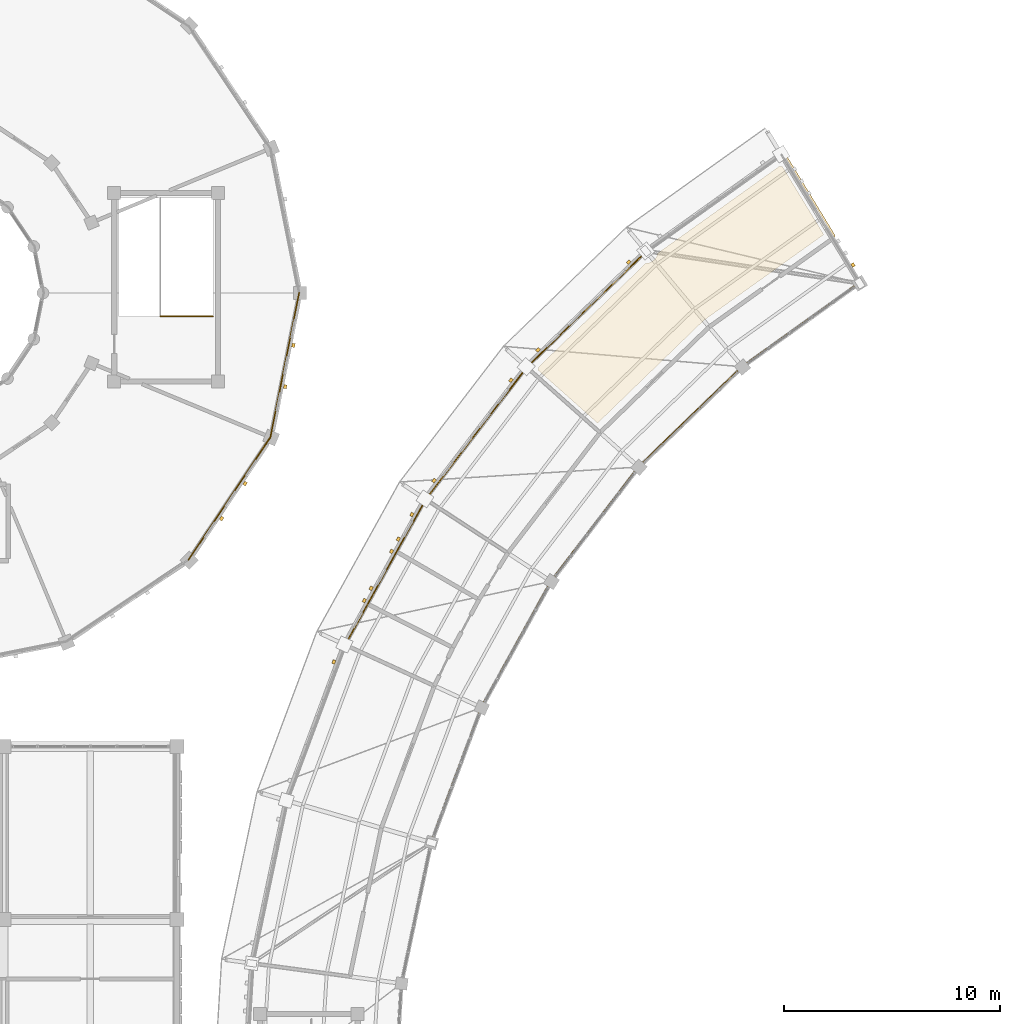
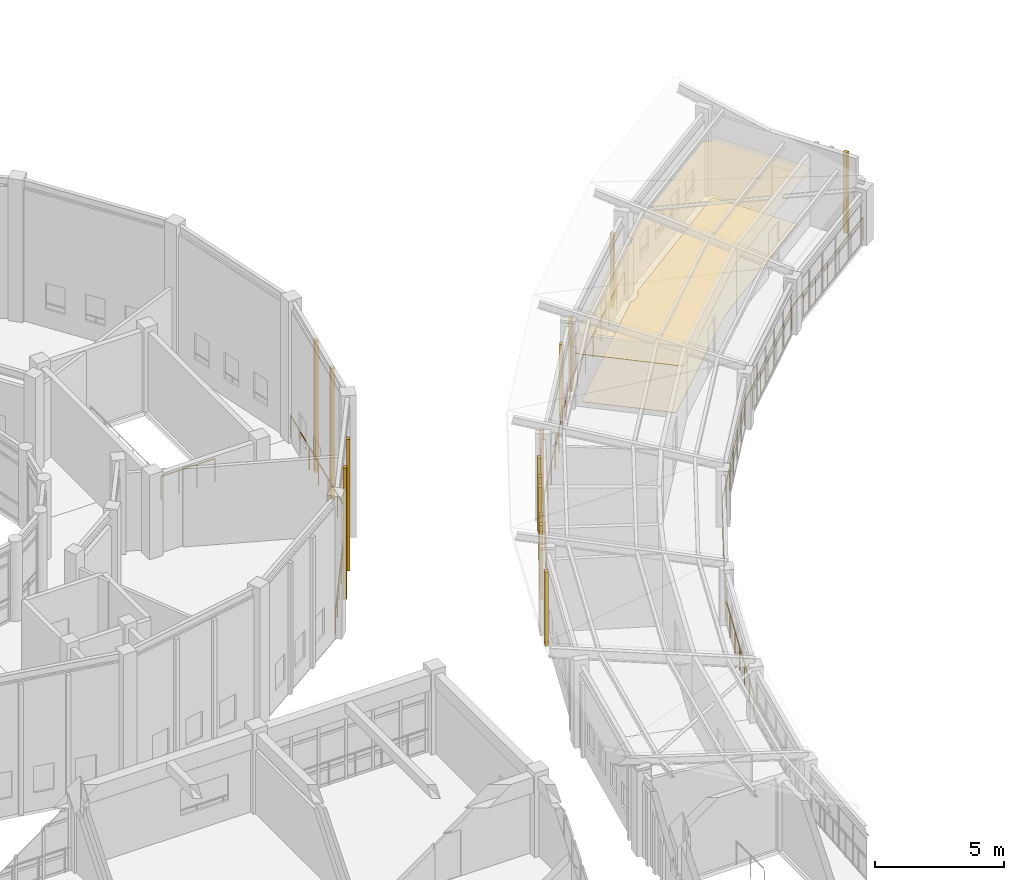
# One storey, part 143 of 149: 17 coverings, 11 railings.
"""IFC4 building model written with IfcOpenShell, lengths in metres."""

from ifc_helpers import new_model, si_unit, direction, frame, origin, origin_2d, place, context, subcontext, project, spatial, polyline, rectangle, circle, outline, extrude, material, layer, layer_set, type_object, element, save


model = new_model("IFC4")

# Units and contexts
model_context = context("Model", 3, precision=1e-05, world=origin(), true_north=direction((0.0, 1.0)))
body_context = subcontext(model_context, "Body", "Model", "MODEL_VIEW")
ifc_project = project(units=[si_unit("LENGTHUNIT", "METRE"), si_unit("AREAUNIT", "SQUARE_METRE"), si_unit("VOLUMEUNIT", "CUBIC_METRE"), si_unit("PLANEANGLEUNIT", "RADIAN"), si_unit("MASSUNIT", "GRAM", prefix="KILO")], contexts=[model_context])

# Site, building, storey
site_placement = place(None, origin())
site = spatial("IfcSite", under=ifc_project, at=site_placement, CompositionType="ELEMENT")
building_placement = place(site_placement, origin())
building = spatial("IfcBuilding", under=site, at=building_placement, Name="Celadon Cloister-Ring School", CompositionType="ELEMENT")
storey_placement = place(building_placement, frame((0.0, 0.0, 12.5)))
storey = spatial("IfcBuildingStorey", under=building, at=storey_placement, Name="L03", CompositionType="ELEMENT", Elevation=12.5)

# Coverings
ifc_material_1 = material(Name="Mineral-fibre acoustic ceiling board")
ifc_layer_1 = layer(ifc_material_1, 0.02001953125)
ifc_layer_set_1 = layer_set([ifc_layer_1], Name="Mineral-fibre acoustic ceiling board")
covering_type_1 = type_object("IfcCoveringType", Name="CV-CL1", PredefinedType="CEILING", material=ifc_layer_set_1)
covering_1_placement = place(storey_placement, frame((0.0, 0.0, 2.550048828125)))
element("IfcCovering", 1, at=covering_1_placement, inside=storey, type_object=covering_type_1, Name="Acoustic Ceiling 0020", PredefinedType="CEILING", context=body_context, shape_type="SweptSolid", body=[
    extrude(outline(polyline([(59.697998046875, 103.2529296875), (59.742919921875, 103.196044921875), (59.818115234375, 103.139892578125), (59.8759765625, 103.115966796875), (59.968994140625, 103.10205078125), (60.06201171875, 103.115966796875), (60.1201171875, 103.139892578125), (60.195068359375, 103.196044921875), (60.257080078125, 103.282958984375), (60.280029296875, 103.258056640625), (62.430908203125, 99.722900390625), (62.451904296875, 99.673095703125), (62.45703125, 99.6201171875), (62.446044921875, 99.56689453125), (62.429931640625, 99.534912109375), (62.382080078125, 99.48291015625), (56.662109375, 95.39208984375), (51.60791015625, 90.501953125), (51.56396484375, 90.469970703125), (51.49609375, 90.450927734375), (51.44189453125, 90.4560546875), (51.39208984375, 90.47607421875), (48.27392578125, 93.2490234375), (48.2529296875, 93.27587890625), (48.319091796875, 93.302001953125), (48.39404296875, 93.35791015625), (48.449951171875, 93.43310546875), (48.48193359375, 93.52197265625), (48.488037109375, 93.583984375), (48.47412109375, 93.677001953125), (48.43408203125, 93.761962890625), (48.383056640625, 93.820068359375), (53.458984375, 98.73388671875), (53.52490234375, 98.675048828125), (53.5810546875, 98.64501953125), (53.64111328125, 98.626953125), (53.702880859375, 98.62109375), (53.764892578125, 98.626953125), (53.824951171875, 98.64501953125), (53.881103515625, 98.675048828125), (53.928955078125, 98.715087890625), (53.985107421875, 98.7900390625), (54.009033203125, 98.847900390625), (54.02099609375, 98.909912109375), (54.02099609375, 98.971923828125), (54.009033203125, 99.033935546875), (53.985107421875, 99.092041015625), (53.950927734375, 99.14404296875), (59.697998046875, 103.2529296875)])), origin(), (0.0, 0.0, 1.0), 0.02001953125),
])
ifc_material_2 = material(Name="Polished cement-marble terrazzo tile", Category="masonry")
ifc_layer_2 = layer(ifc_material_2, 0.01806640625)
ifc_layer_set_2 = layer_set([ifc_layer_2], Name="Polished cement-marble terrazzo tile")
covering_type_2 = type_object("IfcCoveringType", Name="CV-FL1", PredefinedType="FLOORING", material=ifc_layer_set_2)
covering_2_placement = place(storey_placement, origin())
element("IfcCovering", 2, at=covering_2_placement, inside=storey, type_object=covering_type_2, Name="Terrazzo Flooring 0019", PredefinedType="FLOORING", context=body_context, shape_type="SweptSolid", body=[
    extrude(outline(polyline([(48.716064453125, 93.428955078125), (48.717041015625, 93.429931640625), (48.72412109375, 93.4609375), (48.72900390625, 93.485107421875), (48.73388671875, 93.51611328125), (48.736083984375, 93.5400390625), (48.737060546875, 93.56494140625), (53.702880859375, 98.37109375), (53.715087890625, 98.37109375), (53.7470703125, 98.373046875), (53.77099609375, 98.375), (53.802001953125, 98.3798828125), (53.825927734375, 98.385009765625), (53.85693359375, 98.39208984375), (53.8798828125, 98.39892578125), (53.909912109375, 98.409912109375), (53.931884765625, 98.4189453125), (53.9609375, 98.43310546875), (53.98193359375, 98.444091796875), (54.009033203125, 98.4599609375), (54.030029296875, 98.47412109375), (54.054931640625, 98.492919921875), (54.073974609375, 98.508056640625), (54.096923828125, 98.529052734375), (54.114990234375, 98.547119140625), (54.135986328125, 98.570068359375), (54.15087890625, 98.589111328125), (54.169921875, 98.614013671875), (54.18408203125, 98.635009765625), (54.199951171875, 98.662109375), (54.2109375, 98.68310546875), (54.22509765625, 98.7119140625), (54.23388671875, 98.73388671875), (54.2451171875, 98.763916015625), (54.251953125, 98.787109375), (54.259033203125, 98.818115234375), (54.262939453125, 98.837890625), (59.885009765625, 102.85888671875), (59.90087890625, 102.85595703125), (59.925048828125, 102.85400390625), (59.95703125, 102.85205078125), (59.98095703125, 102.85205078125), (60.012939453125, 102.85400390625), (60.02294921875, 102.85498046875), (61.943115234375, 99.697021484375), (56.40087890625, 95.73388671875), (56.385986328125, 95.722900390625), (56.3720703125, 95.7109375), (51.47607421875, 90.971923828125), (48.716064453125, 93.428955078125)])), origin(), (0.0, 0.0, 1.0), 0.01806640625),
])
ifc_material_3 = material(Name="Perforated terracotta clay brick masonry", Category="masonry")
ifc_layer_3 = layer(ifc_material_3, 0.139892578125)
ifc_layer_set_3 = layer_set([ifc_layer_3], Name="Perforated terracotta clay brick masonry")
covering_type_3 = type_object("IfcCoveringType", Name="CV-SC1", PredefinedType="CLADDING", material=ifc_layer_set_3)
for number, where, z_axis, x_axis, name in (
    (3, (48.7109375, 94.35595703125, -0.00048828125), (0.0, 0.0, 1.0), (0.718587686634, 0.695436364176, 0.0), "Brick Screen Rib 0336"),
    (4, (52.9140625, 98.424072265625, -0.00048828125), (0.0, 0.0, 1.0), (0.718587686634, 0.695436364176, 0.0), "Brick Screen Rib 0337"),
    (5, (43.906982421875, 88.31103515625, -0.00048828125), (0.0, 0.0, 1.0), (0.6079857272, 0.793947955172, 0.0), "Brick Screen Rib 0338"),
    (6, (47.464111328125, 92.955078125, -0.00048828125), (0.0, 0.0, 1.0), (0.6079857272, 0.793947955172, 0.0), "Brick Screen Rib 0339"),
    (7, (40.678955078125, 82.760009765625, -0.00048828125), (0.0, 0.0, 1.0), (0.483832358408, 0.875160698933, 0.0), "Brick Screen Rib 0340"),
    (8, (40.992919921875, 83.3291015625, -0.00048828125), (0.0, 0.0, 1.0), (0.483832358408, 0.875160698933, 0.0), "Brick Screen Rib 0341"),
    (9, (41.93701171875, 85.034912109375, -0.00048828125), (0.0, 0.0, 1.0), (0.483832358408, 0.875160698933, 0.0), "Brick Screen Rib 0342"),
    (10, (42.2509765625, 85.60400390625, -0.00048828125), (0.0, 0.0, 1.0), (0.483832358408, 0.875160698933, 0.0), "Brick Screen Rib 0343"),
    (11, (42.8798828125, 86.741943359375, -0.00048828125), (0.0, 0.0, 1.0), (0.483832358408, 0.875160698933, 0.0), "Brick Screen Rib 0344"),
    (12, (39.26611328125, 79.919921875, -0.00048828125), (0.0, 0.0, 1.0), (0.349209954135, 0.937044506912, 0.0), "Brick Screen Rib 0346"),
):
    element("IfcCovering", number, at=place(storey_placement, frame(where, z_axis=z_axis, x_axis=x_axis)), inside=storey, type_object=covering_type_3, Name=name, PredefinedType="CLADDING", context=body_context, shape_type="SweptSolid", body=[
        extrude(rectangle(XDim=0.179931640625, YDim=0.139892578125, at=origin_2d()), origin(), (0.0, 0.0, 1.0), 3.51708984375),
    ])
covering_3_placement = place(storey_placement, frame((63.298095703125, 98.2919921875, 0.0), z_axis=(0.0, 0.0, 1.0), x_axis=(0.51986207177, -0.854250212956, 0.0)))
element("IfcCovering", 13, at=covering_3_placement, inside=storey, type_object=covering_type_3, Name="Brick Screen Rib 0425", PredefinedType="CLADDING", context=body_context, shape_type="SweptSolid", body=[
    extrude(rectangle(XDim=0.179931640625, YDim=0.139892578125, at=origin_2d()), origin(), (0.0, 0.0, 1.0), 3.830078125),
])
for number, where, z_axis, x_axis, name in (
    (14, (35.159912109375, 88.177001953125, 0.0), (0.0, 0.0, 1.0), (-0.55567181205, -0.831401730389, 0.0), "Brick Screen Rib 0564"),
    (15, (34.075927734375, 86.555908203125, 0.0), (0.0, 0.0, 1.0), (-0.55567181205, -0.831401730389, 0.0), "Brick Screen Rib 0565"),
    (16, (37.39794921875, 94.572998046875, 0.0), (0.0, 0.0, 1.0), (-0.195141675546, -0.980775064153, 0.0), "Brick Screen Rib 0566"),
    (17, (37.01708984375, 92.660888671875, 0.0), (0.0, 0.0, 1.0), (-0.195141675546, -0.980775064153, 0.0), "Brick Screen Rib 0567"),
):
    element("IfcCovering", number, at=place(storey_placement, frame(where, z_axis=z_axis, x_axis=x_axis)), inside=storey, type_object=covering_type_3, Name=name, PredefinedType="CLADDING", context=body_context, shape_type="SweptSolid", body=[
        extrude(rectangle(XDim=0.179931640625, YDim=0.139892578125, at=origin_2d()), origin(), (0.0, 0.0, 1.0), 6.22998046875),
    ])

# Railings
ifc_material_4 = material(Name="Structural steel S355JR", Category="steel")
railing_type_1 = type_object("IfcRailingType", Name="RL-BL1", PredefinedType="BALUSTRADE", material=ifc_material_4)
railing_1_placement = place(storey_placement, frame((53.72900390625, 98.910888671875, 0.0)))
element("IfcRailing", 18, at=railing_1_placement, inside=storey, type_object=railing_type_1, Name="Terrace Balustrade 0146", PredefinedType="BALUSTRADE", context=body_context, shape_type="SweptSolid", body=[
    extrude(circle(Radius=0.02392578125, at=origin_2d()), frame((0.0, 0.0, 1.09619140625), z_axis=(-0.718571468131, -0.695453122208, 0.0), x_axis=(0.695453122208, -0.718571468131, 0.0)), (0.0, 0.0, 1.0), 7.698486328125),
    extrude(circle(Radius=0.02099609375, at=origin_2d()), origin(), (0.0, 0.0, 1.0), 1.072021484375),
    extrude(circle(Radius=0.02099609375, at=origin_2d()), frame((-0.790283203125, -0.764892578125, 0.0)), (0.0, 0.0, 1.0), 1.072021484375),
    extrude(circle(Radius=0.02099609375, at=origin_2d()), frame((-1.58056640625, -1.52978515625, 0.0)), (0.0, 0.0, 1.0), 1.072021484375),
    extrude(circle(Radius=0.02099609375, at=origin_2d()), frame((-2.370849609375, -2.294677734375, 0.0)), (0.0, 0.0, 1.0), 1.072021484375),
    extrude(circle(Radius=0.02099609375, at=origin_2d()), frame((-3.1611328125, -3.059326171875, 0.0)), (0.0, 0.0, 1.0), 1.072021484375),
    extrude(circle(Radius=0.02099609375, at=origin_2d()), frame((-3.951416015625, -3.82421875, 0.0)), (0.0, 0.0, 1.0), 1.072021484375),
    extrude(circle(Radius=0.02099609375, at=origin_2d()), frame((-4.74169921875, -4.589111328125, 0.0)), (0.0, 0.0, 1.0), 1.072021484375),
    extrude(circle(Radius=0.02099609375, at=origin_2d()), frame((-5.531982421875, -5.35400390625, 0.0)), (0.0, 0.0, 1.0), 1.072021484375),
])
railing_2_placement = place(storey_placement, frame((48.197021484375, 93.556884765625, 0.0)))
element("IfcRailing", 19, at=railing_2_placement, inside=storey, type_object=railing_type_1, Name="Terrace Balustrade 0147", PredefinedType="BALUSTRADE", context=body_context, shape_type="SweptSolid", body=[
    extrude(circle(Radius=0.02392578125, at=origin_2d()), frame((0.0, 0.0, 1.09619140625), z_axis=(-0.607877382965, -0.794030910783, 0.0), x_axis=(0.794030910783, -0.607877382965, 0.0)), (0.0, 0.0, 1.0), 7.697265625),
    extrude(circle(Radius=0.02099609375, at=origin_2d()), origin(), (0.0, 0.0, 1.0), 1.072021484375),
    extrude(circle(Radius=0.02099609375, at=origin_2d()), frame((-0.66845703125, -0.873046875, 0.0)), (0.0, 0.0, 1.0), 1.072021484375),
    extrude(circle(Radius=0.02099609375, at=origin_2d()), frame((-1.3369140625, -1.746337890625, 0.0)), (0.0, 0.0, 1.0), 1.072021484375),
    extrude(circle(Radius=0.02099609375, at=origin_2d()), frame((-2.00537109375, -2.619384765625, 0.0)), (0.0, 0.0, 1.0), 1.072021484375),
    extrude(circle(Radius=0.02099609375, at=origin_2d()), frame((-2.673583984375, -3.492431640625, 0.0)), (0.0, 0.0, 1.0), 1.072021484375),
    extrude(circle(Radius=0.02099609375, at=origin_2d()), frame((-3.342041015625, -4.365478515625, 0.0)), (0.0, 0.0, 1.0), 1.072021484375),
    extrude(circle(Radius=0.02099609375, at=origin_2d()), frame((-4.010498046875, -5.23876953125, 0.0)), (0.0, 0.0, 1.0), 1.072021484375),
    extrude(circle(Radius=0.02099609375, at=origin_2d()), frame((-4.678955078125, -6.11181640625, 0.0)), (0.0, 0.0, 1.0), 1.072021484375),
])
railing_3_placement = place(storey_placement, frame((43.51806640625, 87.445068359375, 0.0)))
element("IfcRailing", 20, at=railing_3_placement, inside=storey, type_object=railing_type_1, Name="Terrace Balustrade 0148", PredefinedType="BALUSTRADE", context=body_context, shape_type="SweptSolid", body=[
    extrude(circle(Radius=0.02392578125, at=origin_2d()), frame((0.0, 0.0, 1.09619140625), z_axis=(-0.484034517871, -0.875048904638, 0.0), x_axis=(0.875048904638, -0.484034517871, 0.0)), (0.0, 0.0, 1.0), 7.697998046875),
    extrude(circle(Radius=0.02099609375, at=origin_2d()), origin(), (0.0, 0.0, 1.0), 1.072021484375),
    extrude(circle(Radius=0.02099609375, at=origin_2d()), frame((-0.5322265625, -0.96240234375, 0.0)), (0.0, 0.0, 1.0), 1.072021484375),
    extrude(circle(Radius=0.02099609375, at=origin_2d()), frame((-1.064697265625, -1.924560546875, 0.0)), (0.0, 0.0, 1.0), 1.072021484375),
    extrude(circle(Radius=0.02099609375, at=origin_2d()), frame((-1.596923828125, -2.886962890625, 0.0)), (0.0, 0.0, 1.0), 1.072021484375),
    extrude(circle(Radius=0.02099609375, at=origin_2d()), frame((-2.129150390625, -3.84912109375, 0.0)), (0.0, 0.0, 1.0), 1.072021484375),
    extrude(circle(Radius=0.02099609375, at=origin_2d()), frame((-2.661376953125, -4.8115234375, 0.0)), (0.0, 0.0, 1.0), 1.072021484375),
    extrude(circle(Radius=0.02099609375, at=origin_2d()), frame((-3.19384765625, -5.773681640625, 0.0)), (0.0, 0.0, 1.0), 1.072021484375),
    extrude(circle(Radius=0.02099609375, at=origin_2d()), frame((-3.72607421875, -6.736083984375, 0.0)), (0.0, 0.0, 1.0), 1.072021484375),
])
railing_4_placement = place(storey_placement, frame((63.5869140625, 97.47705078125, 0.0)))
element("IfcRailing", 21, at=railing_4_placement, inside=storey, type_object=railing_type_1, Name="Terrace Balustrade 0180", PredefinedType="BALUSTRADE", context=body_context, shape_type="SweptSolid", body=[
    extrude(circle(Radius=0.02392578125, at=origin_2d()), frame((0.0, 0.0, 1.09619140625), z_axis=(-0.813332778837, -0.581798754613, 0.0), x_axis=(0.581798754613, -0.813332778837, 0.0)), (0.0, 0.0, 1.0), 6.672607421875),
    extrude(circle(Radius=0.02099609375, at=origin_2d()), origin(), (0.0, 0.0, 1.0), 1.072021484375),
    extrude(circle(Radius=0.02099609375, at=origin_2d()), frame((-0.904541015625, -0.64697265625, 0.0)), (0.0, 0.0, 1.0), 1.072021484375),
    extrude(circle(Radius=0.02099609375, at=origin_2d()), frame((-1.80908203125, -1.2939453125, 0.0)), (0.0, 0.0, 1.0), 1.072021484375),
    extrude(circle(Radius=0.02099609375, at=origin_2d()), frame((-2.71337890625, -1.94091796875, 0.0)), (0.0, 0.0, 1.0), 1.072021484375),
    extrude(circle(Radius=0.02099609375, at=origin_2d()), frame((-3.617919921875, -2.588134765625, 0.0)), (0.0, 0.0, 1.0), 1.072021484375),
    extrude(circle(Radius=0.02099609375, at=origin_2d()), frame((-4.5224609375, -3.235107421875, 0.0)), (0.0, 0.0, 1.0), 1.072021484375),
    extrude(circle(Radius=0.02099609375, at=origin_2d()), frame((-5.427001953125, -3.882080078125, 0.0)), (0.0, 0.0, 1.0), 1.072021484375),
])
railing_5_placement = place(storey_placement, frame((58.159912109375, 93.594970703125, 0.0)))
element("IfcRailing", 22, at=railing_5_placement, inside=storey, type_object=railing_type_1, Name="Terrace Balustrade 0181", PredefinedType="BALUSTRADE", context=body_context, shape_type="SweptSolid", body=[
    extrude(circle(Radius=0.02392578125, at=origin_2d()), frame((0.0, 0.0, 1.09619140625), z_axis=(-0.718628684271, -0.695393999214, 0.0), x_axis=(0.695393999214, -0.718628684271, 0.0)), (0.0, 0.0, 1.0), 6.67236328125),
    extrude(circle(Radius=0.02099609375, at=origin_2d()), origin(), (0.0, 0.0, 1.0), 1.072021484375),
    extrude(circle(Radius=0.02099609375, at=origin_2d()), frame((-0.799072265625, -0.7734375, 0.0)), (0.0, 0.0, 1.0), 1.072021484375),
    extrude(circle(Radius=0.02099609375, at=origin_2d()), frame((-1.598388671875, -1.546630859375, 0.0)), (0.0, 0.0, 1.0), 1.072021484375),
    extrude(circle(Radius=0.02099609375, at=origin_2d()), frame((-2.3974609375, -2.31982421875, 0.0)), (0.0, 0.0, 1.0), 1.072021484375),
    extrude(circle(Radius=0.02099609375, at=origin_2d()), frame((-3.196533203125, -3.09326171875, 0.0)), (0.0, 0.0, 1.0), 1.072021484375),
    extrude(circle(Radius=0.02099609375, at=origin_2d()), frame((-3.995849609375, -3.86669921875, 0.0)), (0.0, 0.0, 1.0), 1.072021484375),
    extrude(circle(Radius=0.02099609375, at=origin_2d()), frame((-4.794921875, -4.639892578125, 0.0)), (0.0, 0.0, 1.0), 1.072021484375),
])
railing_6_placement = place(storey_placement, frame((53.364990234375, 88.955078125, 0.0)))
element("IfcRailing", 23, at=railing_6_placement, inside=storey, type_object=railing_type_1, Name="Terrace Balustrade 0182", PredefinedType="BALUSTRADE", context=body_context, shape_type="SweptSolid", body=[
    extrude(circle(Radius=0.02392578125, at=origin_2d()), frame((0.0, 0.0, 1.09619140625), z_axis=(-0.607868330809, -0.79403784066, 0.0), x_axis=(0.79403784066, -0.607868330809, 0.0)), (0.0, 0.0, 1.0), 6.67236328125),
    extrude(circle(Radius=0.02099609375, at=origin_2d()), origin(), (0.0, 0.0, 1.0), 1.072021484375),
    extrude(circle(Radius=0.02099609375, at=origin_2d()), frame((-0.676025390625, -0.883056640625, 0.0)), (0.0, 0.0, 1.0), 1.072021484375),
    extrude(circle(Radius=0.02099609375, at=origin_2d()), frame((-1.35205078125, -1.76611328125, 0.0)), (0.0, 0.0, 1.0), 1.072021484375),
    extrude(circle(Radius=0.02099609375, at=origin_2d()), frame((-2.02783203125, -2.64892578125, 0.0)), (0.0, 0.0, 1.0), 1.072021484375),
    extrude(circle(Radius=0.02099609375, at=origin_2d()), frame((-2.703857421875, -3.531982421875, 0.0)), (0.0, 0.0, 1.0), 1.072021484375),
    extrude(circle(Radius=0.02099609375, at=origin_2d()), frame((-3.3798828125, -4.4150390625, 0.0)), (0.0, 0.0, 1.0), 1.072021484375),
    extrude(circle(Radius=0.02099609375, at=origin_2d()), frame((-4.055908203125, -5.298095703125, 0.0)), (0.0, 0.0, 1.0), 1.072021484375),
])
railing_7_placement = place(storey_placement, frame((49.30908203125, 83.656982421875, 0.0)))
element("IfcRailing", 24, at=railing_7_placement, inside=storey, type_object=railing_type_1, Name="Terrace Balustrade 0183", PredefinedType="BALUSTRADE", context=body_context, shape_type="SweptSolid", body=[
    extrude(circle(Radius=0.02392578125, at=origin_2d()), frame((0.0, 0.0, 1.09619140625), z_axis=(-0.484057808808, -0.87503602082, 0.0), x_axis=(0.87503602082, -0.484057808808, 0.0)), (0.0, 0.0, 1.0), 6.672607421875),
    extrude(circle(Radius=0.02099609375, at=origin_2d()), origin(), (0.0, 0.0, 1.0), 1.072021484375),
    extrude(circle(Radius=0.02099609375, at=origin_2d()), frame((-0.538330078125, -0.97314453125, 0.0)), (0.0, 0.0, 1.0), 1.072021484375),
    extrude(circle(Radius=0.02099609375, at=origin_2d()), frame((-1.07666015625, -1.9462890625, 0.0)), (0.0, 0.0, 1.0), 1.072021484375),
    extrude(circle(Radius=0.02099609375, at=origin_2d()), frame((-1.614990234375, -2.91943359375, 0.0)), (0.0, 0.0, 1.0), 1.072021484375),
    extrude(circle(Radius=0.02099609375, at=origin_2d()), frame((-2.1533203125, -3.892578125, 0.0)), (0.0, 0.0, 1.0), 1.072021484375),
    extrude(circle(Radius=0.02099609375, at=origin_2d()), frame((-2.691650390625, -4.86572265625, 0.0)), (0.0, 0.0, 1.0), 1.072021484375),
    extrude(circle(Radius=0.02099609375, at=origin_2d()), frame((-3.22998046875, -5.8388671875, 0.0)), (0.0, 0.0, 1.0), 1.072021484375),
])
railing_8_placement = place(storey_placement, frame((46.0791015625, 77.818115234375, 0.0)))
element("IfcRailing", 25, at=railing_8_placement, inside=storey, type_object=railing_type_1, Name="Terrace Balustrade 0184", PredefinedType="BALUSTRADE", context=body_context, shape_type="SweptSolid", body=[
    extrude(circle(Radius=0.02392578125, at=origin_2d()), frame((0.0, 0.0, 1.09619140625), z_axis=(-0.349346515714, -0.936993602944, 0.0), x_axis=(0.936993602944, -0.349346515714, 0.0)), (0.0, 0.0, 1.0), 6.672607421875),
    extrude(circle(Radius=0.02099609375, at=origin_2d()), origin(), (0.0, 0.0, 1.0), 1.072021484375),
    extrude(circle(Radius=0.02099609375, at=origin_2d()), frame((-0.388427734375, -1.0419921875, 0.0)), (0.0, 0.0, 1.0), 1.072021484375),
    extrude(circle(Radius=0.02099609375, at=origin_2d()), frame((-0.777099609375, -2.083984375, 0.0)), (0.0, 0.0, 1.0), 1.072021484375),
    extrude(circle(Radius=0.02099609375, at=origin_2d()), frame((-1.16552734375, -3.1259765625, 0.0)), (0.0, 0.0, 1.0), 1.072021484375),
    extrude(circle(Radius=0.02099609375, at=origin_2d()), frame((-1.553955078125, -4.168212890625, 0.0)), (0.0, 0.0, 1.0), 1.072021484375),
    extrude(circle(Radius=0.02099609375, at=origin_2d()), frame((-1.942626953125, -5.210205078125, 0.0)), (0.0, 0.0, 1.0), 1.072021484375),
    extrude(circle(Radius=0.02099609375, at=origin_2d()), frame((-2.3310546875, -6.252197265625, 0.0)), (0.0, 0.0, 1.0), 1.072021484375),
])
railing_9_placement = place(storey_placement, frame((32.5458984375, 84.654052734375, 0.0)))
element("IfcRailing", 26, at=railing_9_placement, inside=storey, type_object=railing_type_1, Name="Terrace Balustrade 0295", PredefinedType="BALUSTRADE", context=body_context, shape_type="SweptSolid", body=[
    extrude(circle(Radius=0.02392578125, at=origin_2d()), frame((0.0, 0.0, 1.09619140625), z_axis=(0.555626116577, 0.831432269387, 0.0), x_axis=(-0.831432269387, 0.555626116577, 0.0)), (0.0, 0.0, 1.0), 6.8125),
    extrude(circle(Radius=0.02099609375, at=origin_2d()), origin(), (0.0, 0.0, 1.0), 1.072021484375),
    extrude(circle(Radius=0.02099609375, at=origin_2d()), frame((0.630859375, 0.944091796875, 0.0)), (0.0, 0.0, 1.0), 1.072021484375),
    extrude(circle(Radius=0.02099609375, at=origin_2d()), frame((1.26171875, 1.887939453125, 0.0)), (0.0, 0.0, 1.0), 1.072021484375),
    extrude(circle(Radius=0.02099609375, at=origin_2d()), frame((1.892578125, 2.83203125, 0.0)), (0.0, 0.0, 1.0), 1.072021484375),
    extrude(circle(Radius=0.02099609375, at=origin_2d()), frame((2.5234375, 3.776123046875, 0.0)), (0.0, 0.0, 1.0), 1.072021484375),
    extrude(circle(Radius=0.02099609375, at=origin_2d()), frame((3.154296875, 4.719970703125, 0.0)), (0.0, 0.0, 1.0), 1.072021484375),
    extrude(circle(Radius=0.02099609375, at=origin_2d()), frame((3.78515625, 5.6640625, 0.0)), (0.0, 0.0, 1.0), 1.072021484375),
])
railing_10_placement = place(storey_placement, frame((36.3310546875, 90.318115234375, 0.0)))
element("IfcRailing", 27, at=railing_10_placement, inside=storey, type_object=railing_type_1, Name="Terrace Balustrade 0296", PredefinedType="BALUSTRADE", context=body_context, shape_type="SweptSolid", body=[
    extrude(circle(Radius=0.02392578125, at=origin_2d()), frame((0.0, 0.0, 1.09619140625), z_axis=(0.19505472673, 0.980792360074, 0.0), x_axis=(-0.980792360074, 0.19505472673, 0.0)), (0.0, 0.0, 1.0), 6.812744140625),
    extrude(circle(Radius=0.02099609375, at=origin_2d()), origin(), (0.0, 0.0, 1.0), 1.072021484375),
    extrude(circle(Radius=0.02099609375, at=origin_2d()), frame((0.221435546875, 1.11376953125, 0.0)), (0.0, 0.0, 1.0), 1.072021484375),
    extrude(circle(Radius=0.02099609375, at=origin_2d()), frame((0.44287109375, 2.227294921875, 0.0)), (0.0, 0.0, 1.0), 1.072021484375),
    extrude(circle(Radius=0.02099609375, at=origin_2d()), frame((0.66455078125, 3.3408203125, 0.0)), (0.0, 0.0, 1.0), 1.072021484375),
    extrude(circle(Radius=0.02099609375, at=origin_2d()), frame((0.885986328125, 4.45458984375, 0.0)), (0.0, 0.0, 1.0), 1.072021484375),
    extrude(circle(Radius=0.02099609375, at=origin_2d()), frame((1.107421875, 5.568359375, 0.0)), (0.0, 0.0, 1.0), 1.072021484375),
    extrude(circle(Radius=0.02099609375, at=origin_2d()), frame((1.328857421875, 6.681884765625, 0.0)), (0.0, 0.0, 1.0), 1.072021484375),
])
ifc_material_5 = material(Name="Structural steel S355JR", Category="steel")
railing_type_2 = type_object("IfcRailingType", Name="RL-BL2", PredefinedType="BALUSTRADE", material=ifc_material_5)
railing_11_placement = place(storey_placement, frame((33.659912109375, 95.9150390625, 0.0)))
element("IfcRailing", 28, at=railing_11_placement, inside=storey, type_object=railing_type_2, Name="Interior Guard 0153", PredefinedType="BALUSTRADE", context=body_context, shape_type="SweptSolid", body=[
    extrude(circle(Radius=0.02392578125, at=origin_2d()), frame((0.0, 0.0, 1.09619140625), z_axis=(-1.0, 0.0, 0.0), x_axis=(0.0, -1.0, 0.0)), (0.0, 0.0, 1.0), 2.419921875),
    extrude(circle(Radius=0.02099609375, at=origin_2d()), origin(), (0.0, 0.0, 1.0), 1.072021484375),
    extrude(circle(Radius=0.02099609375, at=origin_2d()), frame((-0.806640625, 0.0, 0.0)), (0.0, 0.0, 1.0), 1.072021484375),
    extrude(circle(Radius=0.02099609375, at=origin_2d()), frame((-1.61328125, 0.0, 0.0)), (0.0, 0.0, 1.0), 1.072021484375),
    extrude(circle(Radius=0.02099609375, at=origin_2d()), frame((-2.419921875, 0.0, 0.0)), (0.0, 0.0, 1.0), 1.072021484375),
])

save(model, "model.ifc")
